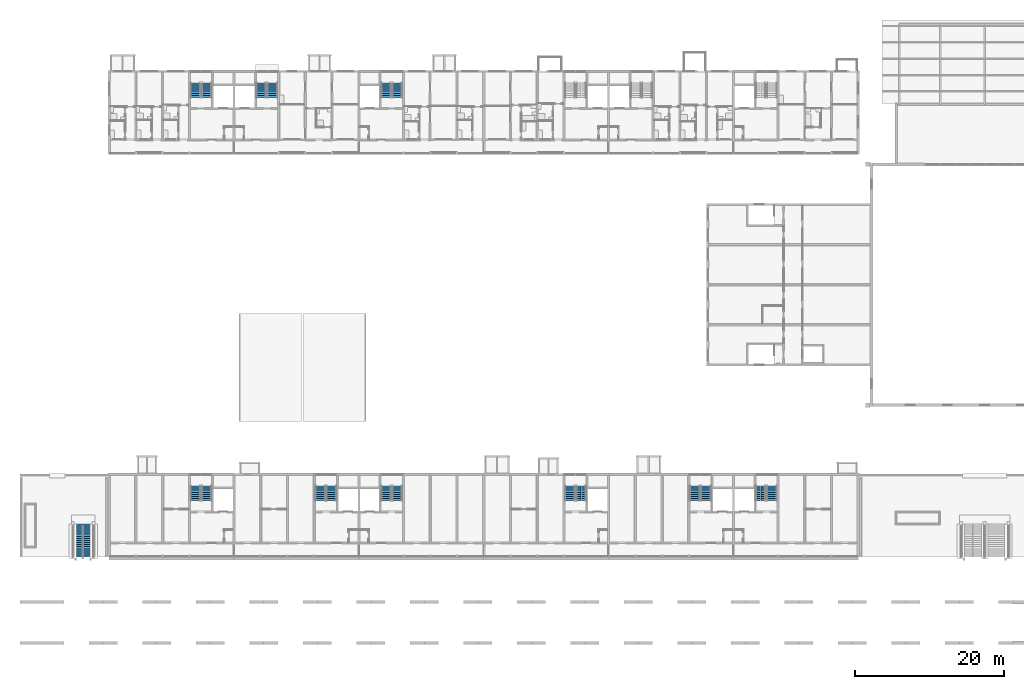
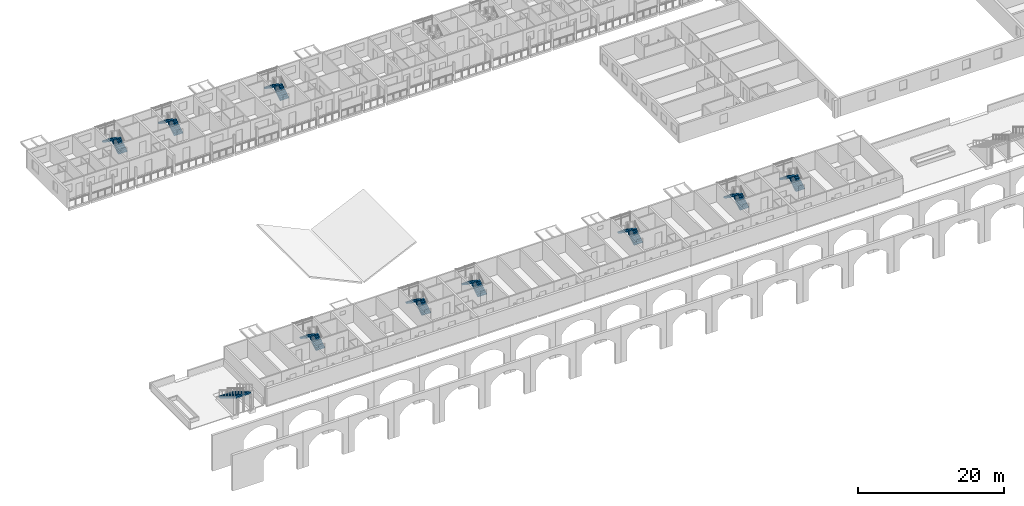
# One storey, part 82 of 122: 19 stair flights, 10 elements without a shape of their own.
"""IFC4 building model written with IfcOpenShell, lengths in metres."""

from ifc_helpers import new_model, si_unit, direction, frame, origin, place, context, subcontext, project, spatial, polyline, outline, extrude, material, type_object, element, aggregate, save


model = new_model("IFC4")

# Units and contexts
model_context = context("Model", 3, precision=1e-05, world=origin(), true_north=direction((0.0, 1.0)))
body_context = subcontext(model_context, "Body", "Model", "MODEL_VIEW")
ifc_project = project(units=[si_unit("LENGTHUNIT", "METRE"), si_unit("AREAUNIT", "SQUARE_METRE"), si_unit("VOLUMEUNIT", "CUBIC_METRE"), si_unit("PLANEANGLEUNIT", "RADIAN"), si_unit("MASSUNIT", "GRAM", prefix="KILO")], contexts=[model_context])

# Site, building, storey
site_placement = place(None, origin())
site = spatial("IfcSite", under=ifc_project, at=site_placement, CompositionType="ELEMENT")
building_placement = place(site_placement, origin())
building = spatial("IfcBuilding", under=site, at=building_placement, Name="Ridgestep Commons", CompositionType="ELEMENT")
storey_placement = place(building_placement, frame((0.0, 0.0, 3.0)))
storey = spatial("IfcBuildingStorey", under=building, at=storey_placement, Name="L01", CompositionType="ELEMENT", Elevation=3.0)

# Stair, stair flight
ifc_material_1 = material(Name="Concrete C30/37", Category="concrete")
stair_type_1 = type_object("IfcStairType", Name="Monumental stair", PredefinedType="STRAIGHT_RUN_STAIR", material=ifc_material_1)
stair_1_placement = place(storey_placement, origin())
stair_1 = element("IfcStair", 1, at=stair_1_placement, inside=storey, type_object=stair_type_1, Name="Court stair T1 to T2", PredefinedType="STRAIGHT_RUN_STAIR")
ifc_material_2 = material(Name="Concrete C30/37", Category="concrete")
stair_flight_type_1 = type_object("IfcStairFlightType", Name="Monumental stair flight", PredefinedType="STRAIGHT", material=ifc_material_2)
stair_flight_1_placement = place(storey_placement, frame((8.5, 16.510009765625, 0.0), z_axis=(0.0, 0.0, 1.0), x_axis=(0.0, -1.0, 0.0)))
stair_flight_1 = element("IfcStairFlight", 2, at=stair_flight_1_placement, type_object=stair_flight_type_1, Name="ST3 flight 1", NumberOfRisers=18, NumberOfTreads=17, PredefinedType="STRAIGHT", RiserHeight=0.166666667, TreadLength=0.28, context=body_context, shape_type="SweptSolid", body=[
    extrude(outline(polyline([(0.0, 0.0), (0.0, 0.166748046875), (0.280029296875, 0.166748046875), (0.280029296875, 0.333251953125), (0.56005859375, 0.333251953125), (0.56005859375, 0.5), (0.840087890625, 0.5), (0.840087890625, 0.666748046875), (1.1201171875, 0.666748046875), (1.1201171875, 0.833251953125), (1.39990234375, 0.833251953125), (1.39990234375, 1.0), (1.679931640625, 1.0), (1.679931640625, 1.166748046875), (1.9599609375, 1.166748046875), (1.9599609375, 1.333251953125), (2.239990234375, 1.333251953125), (2.239990234375, 1.5), (2.52001953125, 1.5), (2.52001953125, 1.666748046875), (2.800048828125, 1.666748046875), (2.800048828125, 1.833251953125), (3.080078125, 1.833251953125), (3.080078125, 2.0), (3.360107421875, 2.0), (3.360107421875, 2.166748046875), (3.639892578125, 2.166748046875), (3.639892578125, 2.333251953125), (3.919921875, 2.333251953125), (3.919921875, 2.5), (4.199951171875, 2.5), (4.199951171875, 2.666748046875), (4.47998046875, 2.666748046875), (4.47998046875, 2.833251953125), (4.760009765625, 2.833251953125), (4.760009765625, 3.0), (4.760009765625, 2.6005859375), (0.390869140625, 0.0), (0.0, 0.0)])), frame((0.0, 1.199951171875, 0.0), z_axis=(0.0, -1.0, 0.0), x_axis=(1.0, 0.0, 0.0)), (0.0, 0.0, 1.0), 2.39990234375),
])
aggregate(stair_1, [stair_flight_1])

# Stair, stair flights
ifc_material_3 = material(Name="Precast concrete C40/50", Category="concrete")
stair_type_2 = type_object("IfcStairType", Name="Escape stair 1400", PredefinedType="HALF_TURN_STAIR", material=ifc_material_3)
stair_2_placement = place(storey_placement, origin())
stair_2 = element("IfcStair", 3, at=stair_2_placement, inside=storey, type_object=stair_type_2, Name="L01 Escape stair A1C", PredefinedType="HALF_TURN_STAIR")
ifc_material_4 = material(Name="Precast concrete C40/50", Category="concrete")
stair_flight_type_2 = type_object("IfcStairFlightType", Name="Stair flight 1400", PredefinedType="STRAIGHT", material=ifc_material_4)
stair_flight_2_placement = place(storey_placement, frame((25.125, 19.35009765625, 0.0), z_axis=(0.0, 0.0, 1.0), x_axis=(0.0, 1.0, 0.0)))
stair_flight_2 = element("IfcStairFlight", 4, at=stair_flight_2_placement, type_object=stair_flight_type_2, Name="A1C flight 1", NumberOfRisers=8, NumberOfTreads=7, PredefinedType="STRAIGHT", RiserHeight=0.1875, TreadLength=0.28, context=body_context, shape_type="SweptSolid", body=[
    extrude(outline(polyline([(0.0, 0.0), (0.0, 0.1875), (0.280029296875, 0.1875), (0.280029296875, 0.375), (0.56005859375, 0.375), (0.56005859375, 0.5625), (0.840087890625, 0.5625), (0.840087890625, 0.75), (1.1201171875, 0.75), (1.1201171875, 0.9375), (1.39990234375, 0.9375), (1.39990234375, 1.125), (1.679931640625, 1.125), (1.679931640625, 1.3125), (1.9599609375, 1.3125), (1.9599609375, 1.5), (1.9599609375, 1.132080078125), (0.26953125, 0.0), (0.0, 0.0)])), frame((0.0, 0.699951171875, 0.0), z_axis=(0.0, -1.0, 0.0), x_axis=(1.0, 0.0, 0.0)), (0.0, 0.0, 1.0), 0.695068359375),
    extrude(outline(polyline([(0.0, 0.0), (0.0, 0.1875), (0.280029296875, 0.1875), (0.280029296875, 0.375), (0.56005859375, 0.375), (0.56005859375, 0.5625), (0.840087890625, 0.5625), (0.840087890625, 0.75), (1.1201171875, 0.75), (1.1201171875, 0.9375), (1.39990234375, 0.9375), (1.39990234375, 1.125), (1.679931640625, 1.125), (1.679931640625, 1.3125), (1.9599609375, 1.3125), (1.9599609375, 1.5), (1.9599609375, 1.132080078125), (0.26953125, 0.0), (0.0, 0.0)])), frame((0.0, -0.0048828125, 0.0), z_axis=(0.0, -1.0, 0.0), x_axis=(1.0, 0.0, 0.0)), (0.0, 0.0, 1.0), 0.695068359375),
])
stair_flight_3_placement = place(storey_placement, frame((23.625, 21.31005859375, 1.5), z_axis=(0.0, 0.0, 1.0), x_axis=(0.0, -1.0, 0.0)))
stair_flight_3 = element("IfcStairFlight", 5, at=stair_flight_3_placement, type_object=stair_flight_type_2, Name="A1C flight 2", NumberOfRisers=8, NumberOfTreads=7, PredefinedType="STRAIGHT", RiserHeight=0.1875, TreadLength=0.28, context=body_context, shape_type="SweptSolid", body=[
    extrude(outline(polyline([(0.0, 0.0), (0.0, 0.1875), (0.280029296875, 0.1875), (0.280029296875, 0.375), (0.56005859375, 0.375), (0.56005859375, 0.5625), (0.840087890625, 0.5625), (0.840087890625, 0.75), (1.1201171875, 0.75), (1.1201171875, 0.9375), (1.39990234375, 0.9375), (1.39990234375, 1.125), (1.679931640625, 1.125), (1.679931640625, 1.3125), (1.9599609375, 1.3125), (1.9599609375, 1.5), (1.9599609375, 1.132080078125), (0.26953125, 0.0), (0.0, 0.0)])), frame((0.0, 0.699951171875, 0.0), z_axis=(0.0, -1.0, 0.0), x_axis=(1.0, 0.0, 0.0)), (0.0, 0.0, 1.0), 0.695068359375),
    extrude(outline(polyline([(0.0, 0.0), (0.0, 0.1875), (0.280029296875, 0.1875), (0.280029296875, 0.375), (0.56005859375, 0.375), (0.56005859375, 0.5625), (0.840087890625, 0.5625), (0.840087890625, 0.75), (1.1201171875, 0.75), (1.1201171875, 0.9375), (1.39990234375, 0.9375), (1.39990234375, 1.125), (1.679931640625, 1.125), (1.679931640625, 1.3125), (1.9599609375, 1.3125), (1.9599609375, 1.5), (1.9599609375, 1.132080078125), (0.26953125, 0.0), (0.0, 0.0)])), frame((0.0, -0.0048828125, 0.0), z_axis=(0.0, -1.0, 0.0), x_axis=(1.0, 0.0, 0.0)), (0.0, 0.0, 1.0), 0.695068359375),
])
aggregate(stair_2, [stair_flight_2, stair_flight_3])

stair_3_placement = place(storey_placement, origin())
stair_3 = element("IfcStair", 6, at=stair_3_placement, inside=storey, type_object=stair_type_2, Name="L01 Escape stair A2C", PredefinedType="HALF_TURN_STAIR")
stair_flight_4_placement = place(storey_placement, frame((41.925048828125, 19.35009765625, 0.0), z_axis=(0.0, 0.0, 1.0), x_axis=(0.0, 1.0, 0.0)))
stair_flight_4 = element("IfcStairFlight", 7, at=stair_flight_4_placement, type_object=stair_flight_type_2, Name="A2C flight 1", NumberOfRisers=8, NumberOfTreads=7, PredefinedType="STRAIGHT", RiserHeight=0.1875, TreadLength=0.28, context=body_context, shape_type="SweptSolid", body=[
    extrude(outline(polyline([(0.0, 0.0), (0.0, 0.1875), (0.280029296875, 0.1875), (0.280029296875, 0.375), (0.56005859375, 0.375), (0.56005859375, 0.5625), (0.840087890625, 0.5625), (0.840087890625, 0.75), (1.1201171875, 0.75), (1.1201171875, 0.9375), (1.39990234375, 0.9375), (1.39990234375, 1.125), (1.679931640625, 1.125), (1.679931640625, 1.3125), (1.9599609375, 1.3125), (1.9599609375, 1.5), (1.9599609375, 1.132080078125), (0.26953125, 0.0), (0.0, 0.0)])), frame((0.0, 0.699951171875, 0.0), z_axis=(0.0, -1.0, 0.0), x_axis=(1.0, 0.0, 0.0)), (0.0, 0.0, 1.0), 0.695068359375),
    extrude(outline(polyline([(0.0, 0.0), (0.0, 0.1875), (0.280029296875, 0.1875), (0.280029296875, 0.375), (0.56005859375, 0.375), (0.56005859375, 0.5625), (0.840087890625, 0.5625), (0.840087890625, 0.75), (1.1201171875, 0.75), (1.1201171875, 0.9375), (1.39990234375, 0.9375), (1.39990234375, 1.125), (1.679931640625, 1.125), (1.679931640625, 1.3125), (1.9599609375, 1.3125), (1.9599609375, 1.5), (1.9599609375, 1.132080078125), (0.26953125, 0.0), (0.0, 0.0)])), frame((0.0, -0.0048828125, 0.0), z_axis=(0.0, -1.0, 0.0), x_axis=(1.0, 0.0, 0.0)), (0.0, 0.0, 1.0), 0.695068359375),
])
stair_flight_5_placement = place(storey_placement, frame((40.425048828125, 21.31005859375, 1.5), z_axis=(0.0, 0.0, 1.0), x_axis=(0.0, -1.0, 0.0)))
stair_flight_5 = element("IfcStairFlight", 8, at=stair_flight_5_placement, type_object=stair_flight_type_2, Name="A2C flight 2", NumberOfRisers=8, NumberOfTreads=7, PredefinedType="STRAIGHT", RiserHeight=0.1875, TreadLength=0.28, context=body_context, shape_type="SweptSolid", body=[
    extrude(outline(polyline([(0.0, 0.0), (0.0, 0.1875), (0.280029296875, 0.1875), (0.280029296875, 0.375), (0.56005859375, 0.375), (0.56005859375, 0.5625), (0.840087890625, 0.5625), (0.840087890625, 0.75), (1.1201171875, 0.75), (1.1201171875, 0.9375), (1.39990234375, 0.9375), (1.39990234375, 1.125), (1.679931640625, 1.125), (1.679931640625, 1.3125), (1.9599609375, 1.3125), (1.9599609375, 1.5), (1.9599609375, 1.132080078125), (0.26953125, 0.0), (0.0, 0.0)])), frame((0.0, 0.699951171875, 0.0), z_axis=(0.0, -1.0, 0.0), x_axis=(1.0, 0.0, 0.0)), (0.0, 0.0, 1.0), 0.695068359375),
    extrude(outline(polyline([(0.0, 0.0), (0.0, 0.1875), (0.280029296875, 0.1875), (0.280029296875, 0.375), (0.56005859375, 0.375), (0.56005859375, 0.5625), (0.840087890625, 0.5625), (0.840087890625, 0.75), (1.1201171875, 0.75), (1.1201171875, 0.9375), (1.39990234375, 0.9375), (1.39990234375, 1.125), (1.679931640625, 1.125), (1.679931640625, 1.3125), (1.9599609375, 1.3125), (1.9599609375, 1.5), (1.9599609375, 1.132080078125), (0.26953125, 0.0), (0.0, 0.0)])), frame((0.0, -0.0048828125, 0.0), z_axis=(0.0, -1.0, 0.0), x_axis=(1.0, 0.0, 0.0)), (0.0, 0.0, 1.0), 0.695068359375),
])
aggregate(stair_3, [stair_flight_4, stair_flight_5])

stair_4_placement = place(storey_placement, origin())
stair_4 = element("IfcStair", 9, at=stair_4_placement, inside=storey, type_object=stair_type_2, Name="L01 Escape stair A3C", PredefinedType="HALF_TURN_STAIR")
stair_flight_6_placement = place(storey_placement, frame((50.77490234375, 19.35009765625, 0.0), z_axis=(0.0, 0.0, 1.0), x_axis=(0.0, 1.0, 0.0)))
stair_flight_6 = element("IfcStairFlight", 10, at=stair_flight_6_placement, type_object=stair_flight_type_2, Name="A3C flight 1", NumberOfRisers=8, NumberOfTreads=7, PredefinedType="STRAIGHT", RiserHeight=0.1875, TreadLength=0.28, context=body_context, shape_type="SweptSolid", body=[
    extrude(outline(polyline([(0.0, 0.0), (0.0, 0.1875), (0.280029296875, 0.1875), (0.280029296875, 0.375), (0.56005859375, 0.375), (0.56005859375, 0.5625), (0.840087890625, 0.5625), (0.840087890625, 0.75), (1.1201171875, 0.75), (1.1201171875, 0.9375), (1.39990234375, 0.9375), (1.39990234375, 1.125), (1.679931640625, 1.125), (1.679931640625, 1.3125), (1.9599609375, 1.3125), (1.9599609375, 1.5), (1.9599609375, 1.132080078125), (0.26953125, 0.0), (0.0, 0.0)])), frame((0.0, 0.699951171875, 0.0), z_axis=(0.0, -1.0, 0.0), x_axis=(1.0, 0.0, 0.0)), (0.0, 0.0, 1.0), 0.695068359375),
    extrude(outline(polyline([(0.0, 0.0), (0.0, 0.1875), (0.280029296875, 0.1875), (0.280029296875, 0.375), (0.56005859375, 0.375), (0.56005859375, 0.5625), (0.840087890625, 0.5625), (0.840087890625, 0.75), (1.1201171875, 0.75), (1.1201171875, 0.9375), (1.39990234375, 0.9375), (1.39990234375, 1.125), (1.679931640625, 1.125), (1.679931640625, 1.3125), (1.9599609375, 1.3125), (1.9599609375, 1.5), (1.9599609375, 1.132080078125), (0.26953125, 0.0), (0.0, 0.0)])), frame((0.0, -0.0048828125, 0.0), z_axis=(0.0, -1.0, 0.0), x_axis=(1.0, 0.0, 0.0)), (0.0, 0.0, 1.0), 0.695068359375),
])
stair_flight_7_placement = place(storey_placement, frame((49.27490234375, 21.31005859375, 1.5), z_axis=(0.0, 0.0, 1.0), x_axis=(0.0, -1.0, 0.0)))
stair_flight_7 = element("IfcStairFlight", 11, at=stair_flight_7_placement, type_object=stair_flight_type_2, Name="A3C flight 2", NumberOfRisers=8, NumberOfTreads=7, PredefinedType="STRAIGHT", RiserHeight=0.1875, TreadLength=0.28, context=body_context, shape_type="SweptSolid", body=[
    extrude(outline(polyline([(0.0, 0.0), (0.0, 0.1875), (0.280029296875, 0.1875), (0.280029296875, 0.375), (0.56005859375, 0.375), (0.56005859375, 0.5625), (0.840087890625, 0.5625), (0.840087890625, 0.75), (1.1201171875, 0.75), (1.1201171875, 0.9375), (1.39990234375, 0.9375), (1.39990234375, 1.125), (1.679931640625, 1.125), (1.679931640625, 1.3125), (1.9599609375, 1.3125), (1.9599609375, 1.5), (1.9599609375, 1.132080078125), (0.26953125, 0.0), (0.0, 0.0)])), frame((0.0, 0.699951171875, 0.0), z_axis=(0.0, -1.0, 0.0), x_axis=(1.0, 0.0, 0.0)), (0.0, 0.0, 1.0), 0.695068359375),
    extrude(outline(polyline([(0.0, 0.0), (0.0, 0.1875), (0.280029296875, 0.1875), (0.280029296875, 0.375), (0.56005859375, 0.375), (0.56005859375, 0.5625), (0.840087890625, 0.5625), (0.840087890625, 0.75), (1.1201171875, 0.75), (1.1201171875, 0.9375), (1.39990234375, 0.9375), (1.39990234375, 1.125), (1.679931640625, 1.125), (1.679931640625, 1.3125), (1.9599609375, 1.3125), (1.9599609375, 1.5), (1.9599609375, 1.132080078125), (0.26953125, 0.0), (0.0, 0.0)])), frame((0.0, -0.0048828125, 0.0), z_axis=(0.0, -1.0, 0.0), x_axis=(1.0, 0.0, 0.0)), (0.0, 0.0, 1.0), 0.695068359375),
])
aggregate(stair_4, [stair_flight_6, stair_flight_7])

stair_5_placement = place(storey_placement, origin())
stair_5 = element("IfcStair", 12, at=stair_5_placement, inside=storey, type_object=stair_type_2, Name="L01 Escape stair A4C", PredefinedType="HALF_TURN_STAIR")
stair_flight_8_placement = place(storey_placement, frame((75.52490234375, 19.35009765625, 0.0), z_axis=(0.0, 0.0, 1.0), x_axis=(0.0, 1.0, 0.0)))
stair_flight_8 = element("IfcStairFlight", 13, at=stair_flight_8_placement, type_object=stair_flight_type_2, Name="A4C flight 1", NumberOfRisers=8, NumberOfTreads=7, PredefinedType="STRAIGHT", RiserHeight=0.1875, TreadLength=0.28, context=body_context, shape_type="SweptSolid", body=[
    extrude(outline(polyline([(0.0, 0.0), (0.0, 0.1875), (0.280029296875, 0.1875), (0.280029296875, 0.375), (0.56005859375, 0.375), (0.56005859375, 0.5625), (0.840087890625, 0.5625), (0.840087890625, 0.75), (1.1201171875, 0.75), (1.1201171875, 0.9375), (1.39990234375, 0.9375), (1.39990234375, 1.125), (1.679931640625, 1.125), (1.679931640625, 1.3125), (1.9599609375, 1.3125), (1.9599609375, 1.5), (1.9599609375, 1.132080078125), (0.26953125, 0.0), (0.0, 0.0)])), frame((0.0, 0.699951171875, 0.0), z_axis=(0.0, -1.0, 0.0), x_axis=(1.0, 0.0, 0.0)), (0.0, 0.0, 1.0), 0.695068359375),
    extrude(outline(polyline([(0.0, 0.0), (0.0, 0.1875), (0.280029296875, 0.1875), (0.280029296875, 0.375), (0.56005859375, 0.375), (0.56005859375, 0.5625), (0.840087890625, 0.5625), (0.840087890625, 0.75), (1.1201171875, 0.75), (1.1201171875, 0.9375), (1.39990234375, 0.9375), (1.39990234375, 1.125), (1.679931640625, 1.125), (1.679931640625, 1.3125), (1.9599609375, 1.3125), (1.9599609375, 1.5), (1.9599609375, 1.132080078125), (0.26953125, 0.0), (0.0, 0.0)])), frame((0.0, -0.0048828125, 0.0), z_axis=(0.0, -1.0, 0.0), x_axis=(1.0, 0.0, 0.0)), (0.0, 0.0, 1.0), 0.695068359375),
])
stair_flight_9_placement = place(storey_placement, frame((74.02490234375, 21.31005859375, 1.5), z_axis=(0.0, 0.0, 1.0), x_axis=(0.0, -1.0, 0.0)))
stair_flight_9 = element("IfcStairFlight", 14, at=stair_flight_9_placement, type_object=stair_flight_type_2, Name="A4C flight 2", NumberOfRisers=8, NumberOfTreads=7, PredefinedType="STRAIGHT", RiserHeight=0.1875, TreadLength=0.28, context=body_context, shape_type="SweptSolid", body=[
    extrude(outline(polyline([(0.0, 0.0), (0.0, 0.1875), (0.280029296875, 0.1875), (0.280029296875, 0.375), (0.56005859375, 0.375), (0.56005859375, 0.5625), (0.840087890625, 0.5625), (0.840087890625, 0.75), (1.1201171875, 0.75), (1.1201171875, 0.9375), (1.39990234375, 0.9375), (1.39990234375, 1.125), (1.679931640625, 1.125), (1.679931640625, 1.3125), (1.9599609375, 1.3125), (1.9599609375, 1.5), (1.9599609375, 1.132080078125), (0.26953125, 0.0), (0.0, 0.0)])), frame((0.0, 0.699951171875, 0.0), z_axis=(0.0, -1.0, 0.0), x_axis=(1.0, 0.0, 0.0)), (0.0, 0.0, 1.0), 0.695068359375),
    extrude(outline(polyline([(0.0, 0.0), (0.0, 0.1875), (0.280029296875, 0.1875), (0.280029296875, 0.375), (0.56005859375, 0.375), (0.56005859375, 0.5625), (0.840087890625, 0.5625), (0.840087890625, 0.75), (1.1201171875, 0.75), (1.1201171875, 0.9375), (1.39990234375, 0.9375), (1.39990234375, 1.125), (1.679931640625, 1.125), (1.679931640625, 1.3125), (1.9599609375, 1.3125), (1.9599609375, 1.5), (1.9599609375, 1.132080078125), (0.26953125, 0.0), (0.0, 0.0)])), frame((0.0, -0.0048828125, 0.0), z_axis=(0.0, -1.0, 0.0), x_axis=(1.0, 0.0, 0.0)), (0.0, 0.0, 1.0), 0.695068359375),
])
aggregate(stair_5, [stair_flight_8, stair_flight_9])

stair_6_placement = place(storey_placement, origin())
stair_6 = element("IfcStair", 15, at=stair_6_placement, inside=storey, type_object=stair_type_2, Name="L01 Escape stair A5C", PredefinedType="HALF_TURN_STAIR")
stair_flight_10_placement = place(storey_placement, frame((92.324951171875, 19.35009765625, 0.0), z_axis=(0.0, 0.0, 1.0), x_axis=(0.0, 1.0, 0.0)))
stair_flight_10 = element("IfcStairFlight", 16, at=stair_flight_10_placement, type_object=stair_flight_type_2, Name="A5C flight 1", NumberOfRisers=8, NumberOfTreads=7, PredefinedType="STRAIGHT", RiserHeight=0.1875, TreadLength=0.28, context=body_context, shape_type="SweptSolid", body=[
    extrude(outline(polyline([(0.0, 0.0), (0.0, 0.1875), (0.280029296875, 0.1875), (0.280029296875, 0.375), (0.56005859375, 0.375), (0.56005859375, 0.5625), (0.840087890625, 0.5625), (0.840087890625, 0.75), (1.1201171875, 0.75), (1.1201171875, 0.9375), (1.39990234375, 0.9375), (1.39990234375, 1.125), (1.679931640625, 1.125), (1.679931640625, 1.3125), (1.9599609375, 1.3125), (1.9599609375, 1.5), (1.9599609375, 1.132080078125), (0.26953125, 0.0), (0.0, 0.0)])), frame((0.0, 0.699951171875, 0.0), z_axis=(0.0, -1.0, 0.0), x_axis=(1.0, 0.0, 0.0)), (0.0, 0.0, 1.0), 0.695068359375),
    extrude(outline(polyline([(0.0, 0.0), (0.0, 0.1875), (0.280029296875, 0.1875), (0.280029296875, 0.375), (0.56005859375, 0.375), (0.56005859375, 0.5625), (0.840087890625, 0.5625), (0.840087890625, 0.75), (1.1201171875, 0.75), (1.1201171875, 0.9375), (1.39990234375, 0.9375), (1.39990234375, 1.125), (1.679931640625, 1.125), (1.679931640625, 1.3125), (1.9599609375, 1.3125), (1.9599609375, 1.5), (1.9599609375, 1.132080078125), (0.26953125, 0.0), (0.0, 0.0)])), frame((0.0, -0.0048828125, 0.0), z_axis=(0.0, -1.0, 0.0), x_axis=(1.0, 0.0, 0.0)), (0.0, 0.0, 1.0), 0.695068359375),
])
stair_flight_11_placement = place(storey_placement, frame((90.824951171875, 21.31005859375, 1.5), z_axis=(0.0, 0.0, 1.0), x_axis=(0.0, -1.0, 0.0)))
stair_flight_11 = element("IfcStairFlight", 17, at=stair_flight_11_placement, type_object=stair_flight_type_2, Name="A5C flight 2", NumberOfRisers=8, NumberOfTreads=7, PredefinedType="STRAIGHT", RiserHeight=0.1875, TreadLength=0.28, context=body_context, shape_type="SweptSolid", body=[
    extrude(outline(polyline([(0.0, 0.0), (0.0, 0.1875), (0.280029296875, 0.1875), (0.280029296875, 0.375), (0.56005859375, 0.375), (0.56005859375, 0.5625), (0.840087890625, 0.5625), (0.840087890625, 0.75), (1.1201171875, 0.75), (1.1201171875, 0.9375), (1.39990234375, 0.9375), (1.39990234375, 1.125), (1.679931640625, 1.125), (1.679931640625, 1.3125), (1.9599609375, 1.3125), (1.9599609375, 1.5), (1.9599609375, 1.132080078125), (0.26953125, 0.0), (0.0, 0.0)])), frame((0.0, 0.699951171875, 0.0), z_axis=(0.0, -1.0, 0.0), x_axis=(1.0, 0.0, 0.0)), (0.0, 0.0, 1.0), 0.695068359375),
    extrude(outline(polyline([(0.0, 0.0), (0.0, 0.1875), (0.280029296875, 0.1875), (0.280029296875, 0.375), (0.56005859375, 0.375), (0.56005859375, 0.5625), (0.840087890625, 0.5625), (0.840087890625, 0.75), (1.1201171875, 0.75), (1.1201171875, 0.9375), (1.39990234375, 0.9375), (1.39990234375, 1.125), (1.679931640625, 1.125), (1.679931640625, 1.3125), (1.9599609375, 1.3125), (1.9599609375, 1.5), (1.9599609375, 1.132080078125), (0.26953125, 0.0), (0.0, 0.0)])), frame((0.0, -0.0048828125, 0.0), z_axis=(0.0, -1.0, 0.0), x_axis=(1.0, 0.0, 0.0)), (0.0, 0.0, 1.0), 0.695068359375),
])
aggregate(stair_6, [stair_flight_10, stair_flight_11])

stair_7_placement = place(storey_placement, origin())
stair_7 = element("IfcStair", 18, at=stair_7_placement, inside=storey, type_object=stair_type_2, Name="L01 Escape stair A6C", PredefinedType="HALF_TURN_STAIR")
stair_flight_12_placement = place(storey_placement, frame((101.175048828125, 19.35009765625, 0.0), z_axis=(0.0, 0.0, 1.0), x_axis=(0.0, 1.0, 0.0)))
stair_flight_12 = element("IfcStairFlight", 19, at=stair_flight_12_placement, type_object=stair_flight_type_2, Name="A6C flight 1", NumberOfRisers=8, NumberOfTreads=7, PredefinedType="STRAIGHT", RiserHeight=0.1875, TreadLength=0.28, context=body_context, shape_type="SweptSolid", body=[
    extrude(outline(polyline([(0.0, 0.0), (0.0, 0.1875), (0.280029296875, 0.1875), (0.280029296875, 0.375), (0.56005859375, 0.375), (0.56005859375, 0.5625), (0.840087890625, 0.5625), (0.840087890625, 0.75), (1.1201171875, 0.75), (1.1201171875, 0.9375), (1.39990234375, 0.9375), (1.39990234375, 1.125), (1.679931640625, 1.125), (1.679931640625, 1.3125), (1.9599609375, 1.3125), (1.9599609375, 1.5), (1.9599609375, 1.132080078125), (0.26953125, 0.0), (0.0, 0.0)])), frame((0.0, 0.699951171875, 0.0), z_axis=(0.0, -1.0, 0.0), x_axis=(1.0, 0.0, 0.0)), (0.0, 0.0, 1.0), 0.695068359375),
    extrude(outline(polyline([(0.0, 0.0), (0.0, 0.1875), (0.280029296875, 0.1875), (0.280029296875, 0.375), (0.56005859375, 0.375), (0.56005859375, 0.5625), (0.840087890625, 0.5625), (0.840087890625, 0.75), (1.1201171875, 0.75), (1.1201171875, 0.9375), (1.39990234375, 0.9375), (1.39990234375, 1.125), (1.679931640625, 1.125), (1.679931640625, 1.3125), (1.9599609375, 1.3125), (1.9599609375, 1.5), (1.9599609375, 1.132080078125), (0.26953125, 0.0), (0.0, 0.0)])), frame((0.0, -0.0048828125, 0.0), z_axis=(0.0, -1.0, 0.0), x_axis=(1.0, 0.0, 0.0)), (0.0, 0.0, 1.0), 0.695068359375),
])
stair_flight_13_placement = place(storey_placement, frame((99.675048828125, 21.31005859375, 1.5), z_axis=(0.0, 0.0, 1.0), x_axis=(0.0, -1.0, 0.0)))
stair_flight_13 = element("IfcStairFlight", 20, at=stair_flight_13_placement, type_object=stair_flight_type_2, Name="A6C flight 2", NumberOfRisers=8, NumberOfTreads=7, PredefinedType="STRAIGHT", RiserHeight=0.1875, TreadLength=0.28, context=body_context, shape_type="SweptSolid", body=[
    extrude(outline(polyline([(0.0, 0.0), (0.0, 0.1875), (0.280029296875, 0.1875), (0.280029296875, 0.375), (0.56005859375, 0.375), (0.56005859375, 0.5625), (0.840087890625, 0.5625), (0.840087890625, 0.75), (1.1201171875, 0.75), (1.1201171875, 0.9375), (1.39990234375, 0.9375), (1.39990234375, 1.125), (1.679931640625, 1.125), (1.679931640625, 1.3125), (1.9599609375, 1.3125), (1.9599609375, 1.5), (1.9599609375, 1.132080078125), (0.26953125, 0.0), (0.0, 0.0)])), frame((0.0, 0.699951171875, 0.0), z_axis=(0.0, -1.0, 0.0), x_axis=(1.0, 0.0, 0.0)), (0.0, 0.0, 1.0), 0.695068359375),
    extrude(outline(polyline([(0.0, 0.0), (0.0, 0.1875), (0.280029296875, 0.1875), (0.280029296875, 0.375), (0.56005859375, 0.375), (0.56005859375, 0.5625), (0.840087890625, 0.5625), (0.840087890625, 0.75), (1.1201171875, 0.75), (1.1201171875, 0.9375), (1.39990234375, 0.9375), (1.39990234375, 1.125), (1.679931640625, 1.125), (1.679931640625, 1.3125), (1.9599609375, 1.3125), (1.9599609375, 1.5), (1.9599609375, 1.132080078125), (0.26953125, 0.0), (0.0, 0.0)])), frame((0.0, -0.0048828125, 0.0), z_axis=(0.0, -1.0, 0.0), x_axis=(1.0, 0.0, 0.0)), (0.0, 0.0, 1.0), 0.695068359375),
])
aggregate(stair_7, [stair_flight_12, stair_flight_13])

stair_8_placement = place(storey_placement, origin())
stair_8 = element("IfcStair", 21, at=stair_8_placement, inside=storey, type_object=stair_type_2, Name="L01 Escape stair B1C", PredefinedType="HALF_TURN_STAIR")
stair_flight_14_placement = place(storey_placement, frame((25.125, 73.60009765625, 0.0), z_axis=(0.0, 0.0, 1.0), x_axis=(0.0, 1.0, 0.0)))
stair_flight_14 = element("IfcStairFlight", 22, at=stair_flight_14_placement, type_object=stair_flight_type_2, Name="B1C flight 1", NumberOfRisers=8, NumberOfTreads=7, PredefinedType="STRAIGHT", RiserHeight=0.1875, TreadLength=0.28, context=body_context, shape_type="SweptSolid", body=[
    extrude(outline(polyline([(0.0, 0.0), (0.0, 0.1875), (0.280029296875, 0.1875), (0.280029296875, 0.375), (0.56005859375, 0.375), (0.56005859375, 0.5625), (0.840087890625, 0.5625), (0.840087890625, 0.75), (1.1201171875, 0.75), (1.1201171875, 0.9375), (1.39990234375, 0.9375), (1.39990234375, 1.125), (1.679931640625, 1.125), (1.679931640625, 1.3125), (1.9599609375, 1.3125), (1.9599609375, 1.5), (1.9599609375, 1.132080078125), (0.26953125, 0.0), (0.0, 0.0)])), frame((0.0, 0.699951171875, 0.0), z_axis=(0.0, -1.0, 0.0), x_axis=(1.0, 0.0, 0.0)), (0.0, 0.0, 1.0), 0.695068359375),
    extrude(outline(polyline([(0.0, 0.0), (0.0, 0.1875), (0.280029296875, 0.1875), (0.280029296875, 0.375), (0.56005859375, 0.375), (0.56005859375, 0.5625), (0.840087890625, 0.5625), (0.840087890625, 0.75), (1.1201171875, 0.75), (1.1201171875, 0.9375), (1.39990234375, 0.9375), (1.39990234375, 1.125), (1.679931640625, 1.125), (1.679931640625, 1.3125), (1.9599609375, 1.3125), (1.9599609375, 1.5), (1.9599609375, 1.132080078125), (0.26953125, 0.0), (0.0, 0.0)])), frame((0.0, -0.0048828125, 0.0), z_axis=(0.0, -1.0, 0.0), x_axis=(1.0, 0.0, 0.0)), (0.0, 0.0, 1.0), 0.695068359375),
])
stair_flight_15_placement = place(storey_placement, frame((23.625, 75.56005859375, 1.5), z_axis=(0.0, 0.0, 1.0), x_axis=(0.0, -1.0, 0.0)))
stair_flight_15 = element("IfcStairFlight", 23, at=stair_flight_15_placement, type_object=stair_flight_type_2, Name="B1C flight 2", NumberOfRisers=8, NumberOfTreads=7, PredefinedType="STRAIGHT", RiserHeight=0.1875, TreadLength=0.28, context=body_context, shape_type="SweptSolid", body=[
    extrude(outline(polyline([(0.0, 0.0), (0.0, 0.1875), (0.280029296875, 0.1875), (0.280029296875, 0.375), (0.56005859375, 0.375), (0.56005859375, 0.5625), (0.840087890625, 0.5625), (0.840087890625, 0.75), (1.1201171875, 0.75), (1.1201171875, 0.9375), (1.39990234375, 0.9375), (1.39990234375, 1.125), (1.679931640625, 1.125), (1.679931640625, 1.3125), (1.9599609375, 1.3125), (1.9599609375, 1.5), (1.9599609375, 1.132080078125), (0.26953125, 0.0), (0.0, 0.0)])), frame((0.0, 0.699951171875, 0.0), z_axis=(0.0, -1.0, 0.0), x_axis=(1.0, 0.0, 0.0)), (0.0, 0.0, 1.0), 0.695068359375),
    extrude(outline(polyline([(0.0, 0.0), (0.0, 0.1875), (0.280029296875, 0.1875), (0.280029296875, 0.375), (0.56005859375, 0.375), (0.56005859375, 0.5625), (0.840087890625, 0.5625), (0.840087890625, 0.75), (1.1201171875, 0.75), (1.1201171875, 0.9375), (1.39990234375, 0.9375), (1.39990234375, 1.125), (1.679931640625, 1.125), (1.679931640625, 1.3125), (1.9599609375, 1.3125), (1.9599609375, 1.5), (1.9599609375, 1.132080078125), (0.26953125, 0.0), (0.0, 0.0)])), frame((0.0, -0.0048828125, 0.0), z_axis=(0.0, -1.0, 0.0), x_axis=(1.0, 0.0, 0.0)), (0.0, 0.0, 1.0), 0.695068359375),
])
aggregate(stair_8, [stair_flight_14, stair_flight_15])

stair_9_placement = place(storey_placement, origin())
stair_9 = element("IfcStair", 24, at=stair_9_placement, inside=storey, type_object=stair_type_2, Name="L01 Escape stair B2C", PredefinedType="HALF_TURN_STAIR")
stair_flight_16_placement = place(storey_placement, frame((33.97509765625, 73.60009765625, 0.0), z_axis=(0.0, 0.0, 1.0), x_axis=(0.0, 1.0, 0.0)))
stair_flight_16 = element("IfcStairFlight", 25, at=stair_flight_16_placement, type_object=stair_flight_type_2, Name="B2C flight 1", NumberOfRisers=8, NumberOfTreads=7, PredefinedType="STRAIGHT", RiserHeight=0.1875, TreadLength=0.28, context=body_context, shape_type="SweptSolid", body=[
    extrude(outline(polyline([(0.0, 0.0), (0.0, 0.1875), (0.280029296875, 0.1875), (0.280029296875, 0.375), (0.56005859375, 0.375), (0.56005859375, 0.5625), (0.840087890625, 0.5625), (0.840087890625, 0.75), (1.1201171875, 0.75), (1.1201171875, 0.9375), (1.39990234375, 0.9375), (1.39990234375, 1.125), (1.679931640625, 1.125), (1.679931640625, 1.3125), (1.9599609375, 1.3125), (1.9599609375, 1.5), (1.9599609375, 1.132080078125), (0.26953125, 0.0), (0.0, 0.0)])), frame((0.0, 0.699951171875, 0.0), z_axis=(0.0, -1.0, 0.0), x_axis=(1.0, 0.0, 0.0)), (0.0, 0.0, 1.0), 0.695068359375),
    extrude(outline(polyline([(0.0, 0.0), (0.0, 0.1875), (0.280029296875, 0.1875), (0.280029296875, 0.375), (0.56005859375, 0.375), (0.56005859375, 0.5625), (0.840087890625, 0.5625), (0.840087890625, 0.75), (1.1201171875, 0.75), (1.1201171875, 0.9375), (1.39990234375, 0.9375), (1.39990234375, 1.125), (1.679931640625, 1.125), (1.679931640625, 1.3125), (1.9599609375, 1.3125), (1.9599609375, 1.5), (1.9599609375, 1.132080078125), (0.26953125, 0.0), (0.0, 0.0)])), frame((0.0, -0.0048828125, 0.0), z_axis=(0.0, -1.0, 0.0), x_axis=(1.0, 0.0, 0.0)), (0.0, 0.0, 1.0), 0.695068359375),
])
stair_flight_17_placement = place(storey_placement, frame((32.47509765625, 75.56005859375, 1.5), z_axis=(0.0, 0.0, 1.0), x_axis=(0.0, -1.0, 0.0)))
stair_flight_17 = element("IfcStairFlight", 26, at=stair_flight_17_placement, type_object=stair_flight_type_2, Name="B2C flight 2", NumberOfRisers=8, NumberOfTreads=7, PredefinedType="STRAIGHT", RiserHeight=0.1875, TreadLength=0.28, context=body_context, shape_type="SweptSolid", body=[
    extrude(outline(polyline([(0.0, 0.0), (0.0, 0.1875), (0.280029296875, 0.1875), (0.280029296875, 0.375), (0.56005859375, 0.375), (0.56005859375, 0.5625), (0.840087890625, 0.5625), (0.840087890625, 0.75), (1.1201171875, 0.75), (1.1201171875, 0.9375), (1.39990234375, 0.9375), (1.39990234375, 1.125), (1.679931640625, 1.125), (1.679931640625, 1.3125), (1.9599609375, 1.3125), (1.9599609375, 1.5), (1.9599609375, 1.132080078125), (0.26953125, 0.0), (0.0, 0.0)])), frame((0.0, 0.699951171875, 0.0), z_axis=(0.0, -1.0, 0.0), x_axis=(1.0, 0.0, 0.0)), (0.0, 0.0, 1.0), 0.695068359375),
    extrude(outline(polyline([(0.0, 0.0), (0.0, 0.1875), (0.280029296875, 0.1875), (0.280029296875, 0.375), (0.56005859375, 0.375), (0.56005859375, 0.5625), (0.840087890625, 0.5625), (0.840087890625, 0.75), (1.1201171875, 0.75), (1.1201171875, 0.9375), (1.39990234375, 0.9375), (1.39990234375, 1.125), (1.679931640625, 1.125), (1.679931640625, 1.3125), (1.9599609375, 1.3125), (1.9599609375, 1.5), (1.9599609375, 1.132080078125), (0.26953125, 0.0), (0.0, 0.0)])), frame((0.0, -0.0048828125, 0.0), z_axis=(0.0, -1.0, 0.0), x_axis=(1.0, 0.0, 0.0)), (0.0, 0.0, 1.0), 0.695068359375),
])
aggregate(stair_9, [stair_flight_16, stair_flight_17])

stair_10_placement = place(storey_placement, origin())
stair_10 = element("IfcStair", 27, at=stair_10_placement, inside=storey, type_object=stair_type_2, Name="L01 Escape stair B3C", PredefinedType="HALF_TURN_STAIR")
stair_flight_18_placement = place(storey_placement, frame((50.77490234375, 73.60009765625, 0.0), z_axis=(0.0, 0.0, 1.0), x_axis=(0.0, 1.0, 0.0)))
stair_flight_18 = element("IfcStairFlight", 28, at=stair_flight_18_placement, type_object=stair_flight_type_2, Name="B3C flight 1", NumberOfRisers=8, NumberOfTreads=7, PredefinedType="STRAIGHT", RiserHeight=0.1875, TreadLength=0.28, context=body_context, shape_type="SweptSolid", body=[
    extrude(outline(polyline([(0.0, 0.0), (0.0, 0.1875), (0.280029296875, 0.1875), (0.280029296875, 0.375), (0.56005859375, 0.375), (0.56005859375, 0.5625), (0.840087890625, 0.5625), (0.840087890625, 0.75), (1.1201171875, 0.75), (1.1201171875, 0.9375), (1.39990234375, 0.9375), (1.39990234375, 1.125), (1.679931640625, 1.125), (1.679931640625, 1.3125), (1.9599609375, 1.3125), (1.9599609375, 1.5), (1.9599609375, 1.132080078125), (0.26953125, 0.0), (0.0, 0.0)])), frame((0.0, 0.699951171875, 0.0), z_axis=(0.0, -1.0, 0.0), x_axis=(1.0, 0.0, 0.0)), (0.0, 0.0, 1.0), 0.695068359375),
    extrude(outline(polyline([(0.0, 0.0), (0.0, 0.1875), (0.280029296875, 0.1875), (0.280029296875, 0.375), (0.56005859375, 0.375), (0.56005859375, 0.5625), (0.840087890625, 0.5625), (0.840087890625, 0.75), (1.1201171875, 0.75), (1.1201171875, 0.9375), (1.39990234375, 0.9375), (1.39990234375, 1.125), (1.679931640625, 1.125), (1.679931640625, 1.3125), (1.9599609375, 1.3125), (1.9599609375, 1.5), (1.9599609375, 1.132080078125), (0.26953125, 0.0), (0.0, 0.0)])), frame((0.0, -0.0048828125, 0.0), z_axis=(0.0, -1.0, 0.0), x_axis=(1.0, 0.0, 0.0)), (0.0, 0.0, 1.0), 0.695068359375),
])
stair_flight_19_placement = place(storey_placement, frame((49.27490234375, 75.56005859375, 1.5), z_axis=(0.0, 0.0, 1.0), x_axis=(0.0, -1.0, 0.0)))
stair_flight_19 = element("IfcStairFlight", 29, at=stair_flight_19_placement, type_object=stair_flight_type_2, Name="B3C flight 2", NumberOfRisers=8, NumberOfTreads=7, PredefinedType="STRAIGHT", RiserHeight=0.1875, TreadLength=0.28, context=body_context, shape_type="SweptSolid", body=[
    extrude(outline(polyline([(0.0, 0.0), (0.0, 0.1875), (0.280029296875, 0.1875), (0.280029296875, 0.375), (0.56005859375, 0.375), (0.56005859375, 0.5625), (0.840087890625, 0.5625), (0.840087890625, 0.75), (1.1201171875, 0.75), (1.1201171875, 0.9375), (1.39990234375, 0.9375), (1.39990234375, 1.125), (1.679931640625, 1.125), (1.679931640625, 1.3125), (1.9599609375, 1.3125), (1.9599609375, 1.5), (1.9599609375, 1.132080078125), (0.26953125, 0.0), (0.0, 0.0)])), frame((0.0, 0.699951171875, 0.0), z_axis=(0.0, -1.0, 0.0), x_axis=(1.0, 0.0, 0.0)), (0.0, 0.0, 1.0), 0.695068359375),
    extrude(outline(polyline([(0.0, 0.0), (0.0, 0.1875), (0.280029296875, 0.1875), (0.280029296875, 0.375), (0.56005859375, 0.375), (0.56005859375, 0.5625), (0.840087890625, 0.5625), (0.840087890625, 0.75), (1.1201171875, 0.75), (1.1201171875, 0.9375), (1.39990234375, 0.9375), (1.39990234375, 1.125), (1.679931640625, 1.125), (1.679931640625, 1.3125), (1.9599609375, 1.3125), (1.9599609375, 1.5), (1.9599609375, 1.132080078125), (0.26953125, 0.0), (0.0, 0.0)])), frame((0.0, -0.0048828125, 0.0), z_axis=(0.0, -1.0, 0.0), x_axis=(1.0, 0.0, 0.0)), (0.0, 0.0, 1.0), 0.695068359375),
])
aggregate(stair_10, [stair_flight_18, stair_flight_19])

save(model, "model.ifc")
